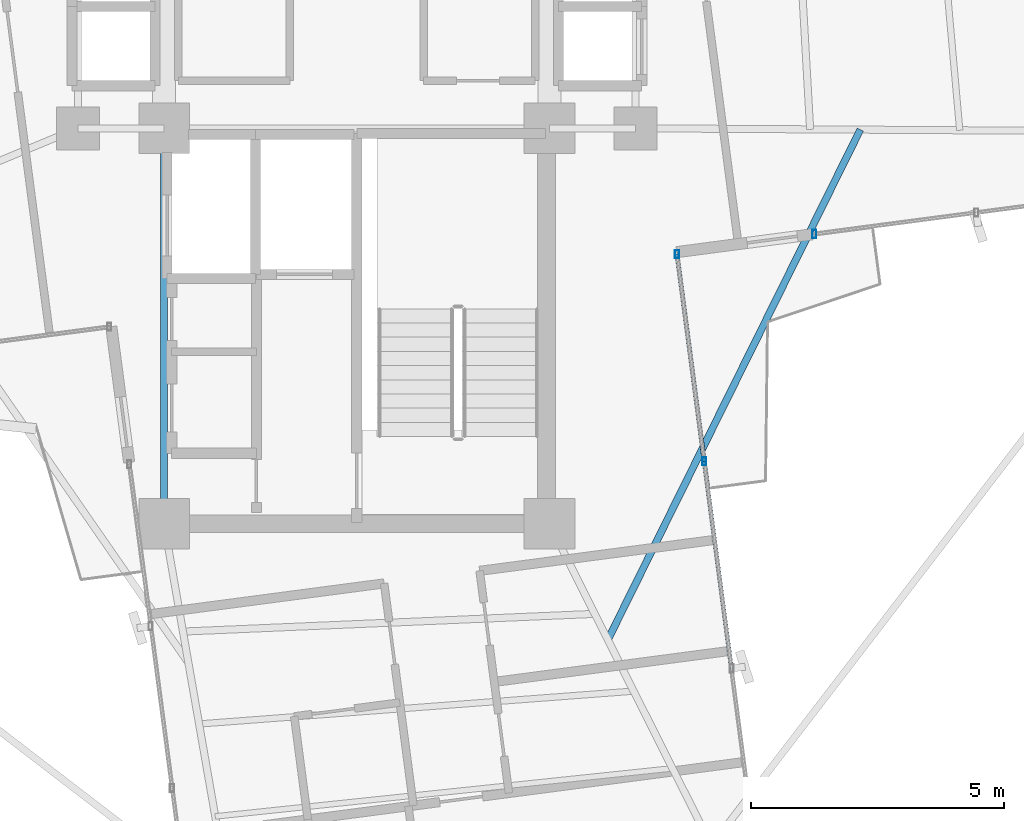
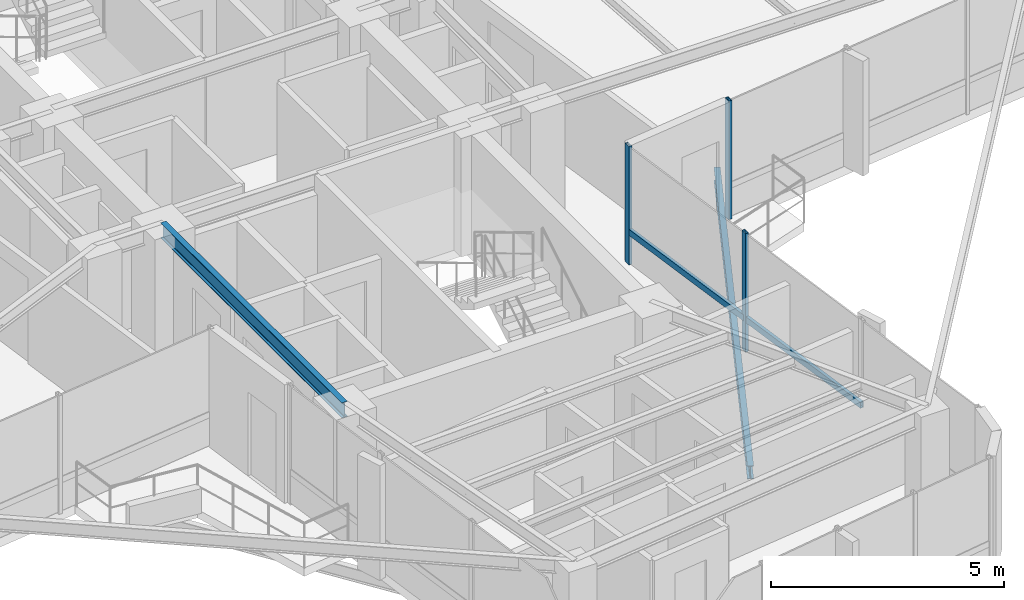
# One storey, part 5 of 22: 5 members, 2 beams, 2 elements without a shape of their own.
"""IFC4 building model written with IfcOpenShell, lengths in metres."""

from ifc_helpers import new_model, si_unit, direction, frame, origin, origin_2d, place, context, subcontext, project, spatial, hollow_rectangle, i_section, extrude, source, transform, mapped, material, material_profile, profile_set, type_object, element, aggregate, save


model = new_model("IFC4")

# Units and contexts
model_context = context("Model", 3, precision=1e-05, world=origin(), true_north=direction((0.0, 1.0)))
body_context = subcontext(model_context, "Body", "Model", "MODEL_VIEW")
ifc_project = project(units=[si_unit("LENGTHUNIT", "METRE"), si_unit("AREAUNIT", "SQUARE_METRE"), si_unit("VOLUMEUNIT", "CUBIC_METRE"), si_unit("PLANEANGLEUNIT", "RADIAN"), si_unit("MASSUNIT", "GRAM", prefix="KILO")], contexts=[model_context])

# Site, building, storey
site_placement = place(None, origin())
site = spatial("IfcSite", under=ifc_project, at=site_placement, CompositionType="ELEMENT")
building_placement = place(site_placement, origin())
building = spatial("IfcBuilding", under=site, at=building_placement, Name="Sahyath Konkavel Grand Hotel", CompositionType="ELEMENT")
storey_placement = place(building_placement, frame((0.0, 0.0, 237.800048828125)))
storey = spatial("IfcBuildingStorey", under=building, at=storey_placement, Name="L66", CompositionType="ELEMENT", Elevation=237.800048828125)

# Beam
ifc_material_1 = material(Name="Steel E350", Category="steel")
ifc_material_profile_1 = material_profile(ifc_material_1, i_section(OverallWidth=0.139892578125, OverallDepth=0.39990234375, WebThickness=0.0087890625, FlangeThickness=0.01611328125, FilletRadius=0.013916015625, at=origin_2d()), Name="ISMB 400")
ifc_profile_set_1 = profile_set([ifc_material_profile_1], Name="Steel E350")
beam_type_1 = type_object("IfcBeamType", Name="BM-ISMB400", PredefinedType="BEAM", material=ifc_profile_set_1)
shared_shape_1 = source(origin(), body_context, "Body", "SweptSolid", [
    extrude(i_section(OverallWidth=0.139892578125, OverallDepth=0.39990234375, WebThickness=0.0087890625, FlangeThickness=0.01611328125, FilletRadius=0.013916015625, at=origin_2d()), origin(), (0.0, 0.0, 1.0), 7.800048828125),
])
beam_1_placement = place(storey_placement, frame((-3.800048828125, -10.199951171875, 2.909912109375), z_axis=(0.0, 1.0, 0.0), x_axis=(-1.0, 0.0, 0.0)))
element("IfcBeam", 1, at=beam_1_placement, inside=storey, type_object=beam_type_1, Name="str:bm:L66:SC-W", PredefinedType="BEAM", context=body_context, shape_type="MappedRepresentation", body=[
    mapped(shared_shape_1, transform((0.0, 0.0, 0.0), scale=1.0)),
])

# Curtain wall, member
ifc_material_2 = material(Name="Anodised Bronze Aluminium & Low-E Glazing", Category="aluminium")
curtain_wall_type = type_object("IfcCurtainWallType", Name="CW-ZONE4", PredefinedType="NOTDEFINED", material=ifc_material_2)
curtain_wall_1_placement = place(storey_placement, origin())
curtain_wall_1 = element("IfcCurtainWall", 2, at=curtain_wall_1_placement, inside=storey, type_object=curtain_wall_type, Name="L66 Unitised Curtain Wall F0", PredefinedType="NOTDEFINED")
ifc_material_3 = material(Name="Anodised Bronze Aluminium", Category="aluminium")
ifc_material_profile_2 = material_profile(ifc_material_3, hollow_rectangle(XDim=0.080078125, YDim=0.159912109375, WallThickness=0.006103515625, at=origin_2d()), Name="RHS 160x80x6")
ifc_profile_set_2 = profile_set([ifc_material_profile_2], Name="Anodised Bronze Aluminium")
member_type_1 = type_object("IfcMemberType", Name="CW-MUL-160", PredefinedType="MULLION", material=ifc_profile_set_2)
shared_shape_2 = source(origin(), body_context, "Body", "SweptSolid", [
    extrude(hollow_rectangle(XDim=0.080078125, YDim=0.159912109375, WallThickness=0.006103515625, at=origin_2d()), origin(), (0.0, 0.0, 1.0), 3.10986328125),
])
member_1_placement = place(storey_placement, frame((9.027587890625, -4.485107421875, 0.0), z_axis=(0.0, 0.0, 1.0), x_axis=(1.0, 0.0, 0.0)))
member_1 = element("IfcMember", 3, at=member_1_placement, type_object=member_type_1, Name="L66 Curtain Wall Mullion F0-0", PredefinedType="MULLION", context=body_context, shape_type="MappedRepresentation", body=[
    mapped(shared_shape_2, transform((0.0, 0.0, 0.0), scale=1.0)),
])
aggregate(curtain_wall_1, [member_1])

# Curtain wall, members
curtain_wall_2_placement = place(storey_placement, origin())
curtain_wall_2 = element("IfcCurtainWall", 4, at=curtain_wall_2_placement, inside=storey, type_object=curtain_wall_type, Name="L66 Unitised Curtain Wall F31", PredefinedType="NOTDEFINED")
member_2_placement = place(storey_placement, frame((6.854248046875, -8.96875, 0.0), z_axis=(0.0, 0.0, 1.0), x_axis=(1.0, 0.0, 0.0)))
member_2 = element("IfcMember", 5, at=member_2_placement, type_object=member_type_1, Name="L66 Curtain Wall Mullion F31-2", PredefinedType="MULLION", context=body_context, shape_type="MappedRepresentation", body=[
    mapped(shared_shape_2, transform((0.0, 0.0, 0.0), scale=1.0)),
])
member_3_placement = place(storey_placement, frame((6.31640625, -4.88232421875, 0.0), z_axis=(0.0, 0.0, 1.0), x_axis=(1.0, 0.0, 0.0)))
member_3 = element("IfcMember", 6, at=member_3_placement, type_object=member_type_1, Name="L66 Curtain Wall Mullion F31-3", PredefinedType="MULLION", context=body_context, shape_type="MappedRepresentation", body=[
    mapped(shared_shape_2, transform((0.0, 0.0, 0.0), scale=1.0)),
])
ifc_material_profile_3 = material_profile(ifc_material_3, hollow_rectangle(XDim=0.080078125, YDim=0.159912109375, WallThickness=0.006103515625, at=origin_2d()), Name="RHS 160x80x6")
ifc_profile_set_3 = profile_set([ifc_material_profile_3], Name="Anodised Bronze Aluminium")
member_type_2 = type_object("IfcMemberType", Name="CW-TRN-160", PredefinedType="USERDEFINED", material=ifc_profile_set_3)
shared_shape_3 = source(origin(), body_context, "Body", "SweptSolid", [
    extrude(hollow_rectangle(XDim=0.080078125, YDim=0.159912109375, WallThickness=0.006103515625, at=origin_2d()), origin(), (0.0, 0.0, 1.0), 4.12158203125),
])
member_4_placement = place(storey_placement, frame((7.392333984375, -13.05517578125, 0.849853515625), z_axis=(-0.13054951056, 0.991441791177, 0.0), x_axis=(-0.991441791177, -0.13054951056, 0.0)))
member_4 = element("IfcMember", 7, at=member_4_placement, type_object=member_type_2, Name="L66 Curtain Wall Transom F31-1-spandrel", ObjectType="TRANSOM", PredefinedType="USERDEFINED", context=body_context, shape_type="MappedRepresentation", body=[
    mapped(shared_shape_3, transform((0.0, 0.0, 0.0), scale=1.0)),
])
member_5_placement = place(storey_placement, frame((6.854248046875, -8.96875, 0.849853515625), z_axis=(-0.130491286413, 0.991449456185, 0.0), x_axis=(-0.991449456185, -0.130491286413, 0.0)))
member_5 = element("IfcMember", 8, at=member_5_placement, type_object=member_type_2, Name="L66 Curtain Wall Transom F31-2-spandrel", ObjectType="TRANSOM", PredefinedType="USERDEFINED", context=body_context, shape_type="MappedRepresentation", body=[
    mapped(shared_shape_3, transform((0.0, 0.0, 0.0), scale=1.0)),
])
aggregate(curtain_wall_2, [member_2, member_3, member_4, member_5])

# Beam
ifc_material_profile_4 = material_profile(ifc_material_1, i_section(OverallWidth=0.139892578125, OverallDepth=0.35009765625, WebThickness=0.008056640625, FlangeThickness=0.01416015625, FilletRadius=0.013916015625, at=origin_2d()), Name="ISMB 350")
ifc_profile_set_4 = profile_set([ifc_material_profile_4], Name="Steel E350")
beam_type_2 = type_object("IfcBeamType", Name="BM-BALC-CANT", PredefinedType="BEAM", material=ifc_profile_set_4)
shared_shape_4 = source(origin(), body_context, "Body", "SweptSolid", [
    extrude(i_section(OverallWidth=0.139892578125, OverallDepth=0.35009765625, WebThickness=0.008056640625, FlangeThickness=0.01416015625, FilletRadius=0.013916015625, at=origin_2d()), origin(), (0.0, 0.0, 1.0), 11.22705078125),
])
beam_2_placement = place(storey_placement, frame((4.9521484375, -12.489990234375, -0.4150390625), z_axis=(0.443478171971, 0.896285172802, 0.0), x_axis=(-0.896285172802, 0.443478171971, 0.0)))
element("IfcBeam", 9, at=beam_2_placement, inside=storey, type_object=beam_type_2, Name="L66 Balcony Cantilever Support Beam SE", PredefinedType="BEAM", context=body_context, shape_type="MappedRepresentation", body=[
    mapped(shared_shape_4, transform((0.0, 0.0, 0.0), scale=1.0)),
])

save(model, "model.ifc")
